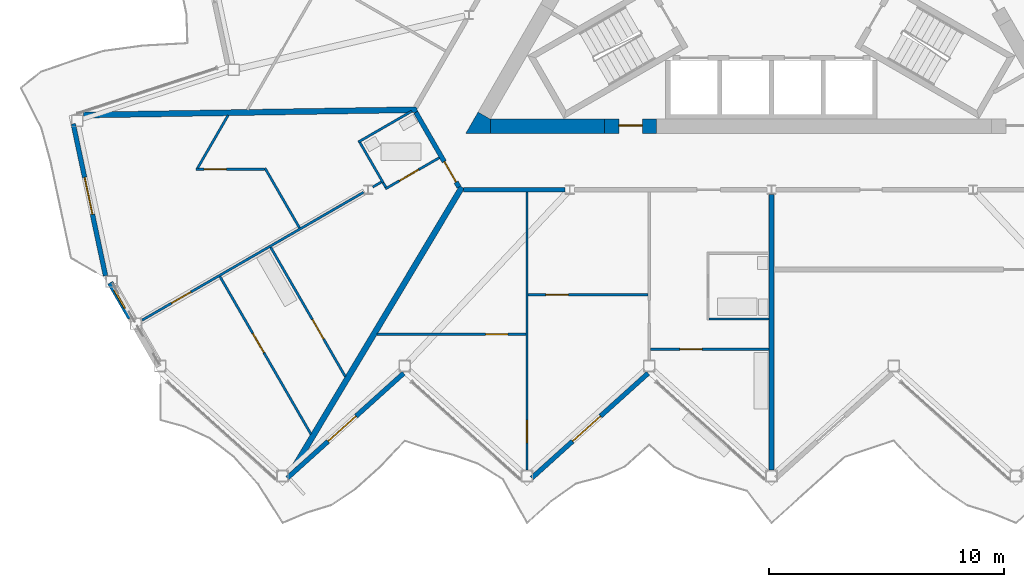
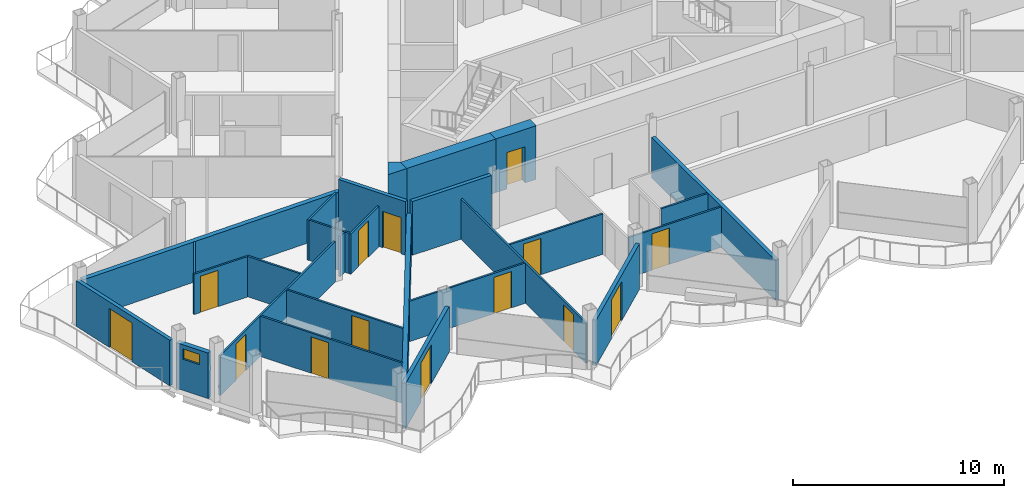
# One storey, part 12 of 26: 28 walls, 14 doors, 1 window, 15 openings.
"""IFC4 building model written with IfcOpenShell, lengths in metres."""

from ifc_helpers import new_model, si_unit, direction, frame, frame_2d, origin, place, context, subcontext, project, spatial, polyline, rectangle, outline, extrude, material, layer, layer_set, type_object, element, fill, save


model = new_model("IFC4")

# Units and contexts
model_context = context("Model", 3, precision=1e-05, world=origin(), true_north=direction((0.0, 1.0)))
body_context = subcontext(model_context, "Body", "Model", "MODEL_VIEW")
ifc_project = project(units=[si_unit("LENGTHUNIT", "METRE"), si_unit("AREAUNIT", "SQUARE_METRE"), si_unit("VOLUMEUNIT", "CUBIC_METRE"), si_unit("PLANEANGLEUNIT", "RADIAN"), si_unit("MASSUNIT", "GRAM", prefix="KILO")], contexts=[model_context])

# Site, building, storey
site_placement = place(None, origin())
site = spatial("IfcSite", under=ifc_project, at=site_placement, CompositionType="ELEMENT")
building_placement = place(site_placement, origin())
building = spatial("IfcBuilding", under=site, at=building_placement, Name="Cormorant Prow Tower", CompositionType="ELEMENT")
storey_placement = place(building_placement, frame((0.0, 0.0, 388.199951171875)))
storey = spatial("IfcBuildingStorey", under=building, at=storey_placement, Name="L88", CompositionType="ELEMENT", Elevation=388.199951171875)

# Walls
ifc_material_1 = material(Name="Concrete 8000 psi", Category="concrete")
ifc_layer_1 = layer(ifc_material_1, 0.60009765625)
ifc_layer_set_1 = layer_set([ifc_layer_1], Name="Concrete 8000 psi")
wall_type_1 = type_object("IfcWallType", Name="Core shear wall 600", PredefinedType="SHEAR", material=ifc_layer_set_1)
wall_1_placement = place(storey_placement, frame((-11.960693359375, -7.20556640625, 0.0), z_axis=(0.0, 0.0, 1.0), x_axis=(1.0, 0.0, 0.0)))
element("IfcWall", 1, at=wall_1_placement, inside=storey, type_object=wall_type_1, Name="Core wall", PredefinedType="SHEAR", context=body_context, shape_type="SweptSolid", body=[
    extrude(rectangle(XDim=4.868408203125, YDim=0.60009765625, at=frame_2d((2.43408203125, 0.0))), origin(), (0.0, 0.0, 1.0), 3.10009765625),
])
wall_2_placement = place(storey_placement, origin())
element("IfcWall", 2, at=wall_2_placement, inside=storey, type_object=wall_type_1, Name="Core wall corner", PredefinedType="SHEAR", context=body_context, shape_type="SweptSolid", body=[
    extrude(outline(polyline([(-12.48046875, -6.605712890625), (-11.960693359375, -6.905517578125), (-11.960693359375, -7.505615234375), (-13.0, -7.505615234375), (-12.48046875, -6.605712890625)])), origin(), (0.0, 0.0, 1.0), 3.10009765625),
])

# Wall, opening, door
wall_3_placement = place(storey_placement, frame((-7.09228515625, -7.20556640625, 0.0), z_axis=(0.0, 0.0, 1.0), x_axis=(1.0, 0.0, 0.0)))
wall_3 = element("IfcWall", 3, at=wall_3_placement, inside=storey, type_object=wall_type_1, Name="Core wall door panel", PredefinedType="SHEAR", context=body_context, shape_type="SweptSolid", body=[
    extrude(rectangle(XDim=2.2001953125, YDim=0.60009765625, at=frame_2d((1.10009765625, 0.0))), origin(), (0.0, 0.0, 1.0), 3.10009765625),
])
opening_1_placement = place(wall_3_placement, frame((0.60009765625, 0.0, 0.0)))
opening_1 = element("IfcOpeningElement", 4, at=opening_1_placement, cuts=wall_3, Name="Opening L88-C16", PredefinedType="OPENING", context=body_context, shape_type="SweptSolid", body=[
    extrude(rectangle(XDim=1.0, YDim=2.10009765625, at=frame_2d((0.5, 1.050048828125))), frame((0.0, 0.31005859375, 0.0), z_axis=(0.0, -1.0, 0.0), x_axis=(1.0, 0.0, 0.0)), (0.0, 0.0, 1.0), 0.6201171875),
])
ifc_material_2 = material(Name="Painted steel", Category="steel")
door_type_1 = type_object("IfcDoorType", Name="Service door 1000x2100", OperationType="NOTDEFINED", PredefinedType="DOOR", material=ifc_material_2)
door_1_placement = place(opening_1_placement, origin())
door_1 = element("IfcDoor", 5, at=door_1_placement, inside=storey, type_object=door_type_1, Name="Core door, Pantry store", OperationType="SINGLE_SWING_LEFT", OverallHeight=2.10009765625, OverallWidth=1.0, PredefinedType="DOOR", context=body_context, shape_type="SweptSolid", body=[
    extrude(rectangle(XDim=1.0, YDim=2.10009765625, at=frame_2d((0.5, 1.050048828125))), frame((0.0, 0.05517578125, 0.0), z_axis=(0.0, -1.0, 0.0), x_axis=(1.0, 0.0, 0.0)), (0.0, 0.0, 1.0), 0.050048828125),
])
fill(opening_1, door_1)

# Wall
ifc_material_3 = material(Name="Gypsum board corridor wall")
ifc_layer_2 = layer(ifc_material_3, 0.199951171875)
ifc_layer_set_2 = layer_set([ifc_layer_2], Name="Gypsum board corridor wall")
wall_type_2 = type_object("IfcWallType", Name="Corridor wall 200", PredefinedType="PARTITIONING", material=ifc_layer_set_2)
wall_4_placement = place(storey_placement, frame((-13.10595703125, -9.905517578125, 0.0), z_axis=(0.0, 0.0, 1.0), x_axis=(1.0, 0.0, 0.0)))
element("IfcWall", 6, at=wall_4_placement, inside=storey, type_object=wall_type_2, Name="Corridor wall", PredefinedType="PARTITIONING", context=body_context, shape_type="SweptSolid", body=[
    extrude(rectangle(XDim=4.33056640625, YDim=0.199951171875, at=frame_2d((2.165283203125, 0.0))), origin(), (0.0, 0.0, 1.0), 3.10009765625),
])

# Wall, opening, door
wall_5_placement = place(storey_placement, frame((-15.13134765625, -6.61376953125, 0.0), z_axis=(0.0, 0.0, 1.0), x_axis=(0.499967746641, -0.866044024469, 0.0)))
wall_5 = element("IfcWall", 7, at=wall_5_placement, inside=storey, type_object=wall_type_2, Name="Corridor wall", PredefinedType="PARTITIONING", context=body_context, shape_type="SweptSolid", body=[
    extrude(rectangle(XDim=3.676025390625, YDim=0.199951171875, at=frame_2d((1.837890625, 0.0))), origin(), (0.0, 0.0, 1.0), 3.10009765625),
])
opening_2_placement = place(wall_5_placement, frame((2.426025390625, 0.0, 0.0)))
opening_2 = element("IfcOpeningElement", 8, at=opening_2_placement, cuts=wall_5, Name="Opening L88-F46", PredefinedType="OPENING", context=body_context, shape_type="SweptSolid", body=[
    extrude(rectangle(XDim=1.0, YDim=2.10009765625, at=frame_2d((0.5, 1.050048828125))), frame((0.0, 0.10986328125, 0.0), z_axis=(0.0, -1.0, 0.0), x_axis=(1.0, 0.0, 0.0)), (0.0, 0.0, 1.0), 0.219970703125),
])
ifc_material_4 = material(Name="Timber door leaf", Category="wood")
door_type_2 = type_object("IfcDoorType", Name="Flat or room entrance door 1000x2100", OperationType="NOTDEFINED", PredefinedType="DOOR", material=ifc_material_4)
door_2_placement = place(opening_2_placement, origin())
door_2 = element("IfcDoor", 9, at=door_2_placement, inside=storey, type_object=door_type_2, Name="Living room door", OperationType="SINGLE_SWING_RIGHT", OverallHeight=2.10009765625, OverallWidth=1.0, PredefinedType="DOOR", context=body_context, shape_type="SweptSolid", body=[
    extrude(rectangle(XDim=1.0, YDim=2.10009765625, at=frame_2d((0.5, 1.050048828125))), frame((0.0, 0.02490234375, 0.0), z_axis=(0.0, -1.0, 0.0), x_axis=(1.0, 0.0, 0.0)), (0.0, 0.0, 1.0), 0.050048828125),
])
fill(opening_2, door_2)

# Wall
ifc_material_5 = material(Name="Gypsum board demising wall")
ifc_layer_3 = layer(ifc_material_5, 0.199951171875)
ifc_layer_set_3 = layer_set([ifc_layer_3], Name="Gypsum board demising wall")
wall_type_3 = type_object("IfcWallType", Name="Demising wall 200", PredefinedType="PARTITIONING", material=ifc_layer_set_3)
wall_6_placement = place(storey_placement, frame((0.0, -21.827880859375, 0.0), z_axis=(0.0, 0.0, 1.0), x_axis=(0.0, 1.0, 0.0)))
element("IfcWall", 10, at=wall_6_placement, inside=storey, type_object=wall_type_3, Name="Demising wall", PredefinedType="PARTITIONING", context=body_context, shape_type="SweptSolid", body=[
    extrude(rectangle(XDim=11.725341796875, YDim=0.199951171875, at=frame_2d((5.86279296875, 0.0))), origin(), (0.0, 0.0, 1.0), 2.330078125),
])

# Wall, opening, door
ifc_material_6 = material(Name="Gypsum board partition")
ifc_layer_4 = layer(ifc_material_6, 0.10009765625)
ifc_layer_set_4 = layer_set([ifc_layer_4], Name="Gypsum board partition")
wall_type_4 = type_object("IfcWallType", Name="Internal partition 100", PredefinedType="PARTITIONING", material=ifc_layer_set_4)
wall_7_placement = place(storey_placement, frame((-10.39990234375, -21.827880859375, 0.0), z_axis=(0.0, 0.0, 1.0), x_axis=(0.0, 1.0, 0.0)))
wall_7 = element("IfcWall", 11, at=wall_7_placement, inside=storey, type_object=wall_type_4, Name="Internal partition", PredefinedType="PARTITIONING", context=body_context, shape_type="SweptSolid", body=[
    extrude(rectangle(XDim=11.822265625, YDim=0.10009765625, at=frame_2d((5.9111328125, 0.0))), origin(), (0.0, 0.0, 1.0), 2.330078125),
])
opening_3_placement = place(wall_7_placement, frame((1.15625, 0.0, 0.0)))
opening_3 = element("IfcOpeningElement", 12, at=opening_3_placement, cuts=wall_7, Name="Opening L88-F06", PredefinedType="OPENING", context=body_context, shape_type="SweptSolid", body=[
    extrude(rectangle(XDim=0.949951171875, YDim=2.10009765625, at=frame_2d((0.47509765625, 1.050048828125))), frame((0.0, 0.06005859375, 0.0), z_axis=(0.0, -1.0, 0.0), x_axis=(1.0, 0.0, 0.0)), (0.0, 0.0, 1.0), 0.1201171875),
])
ifc_material_7 = material(Name="Timber door leaf", Category="wood")
door_type_3 = type_object("IfcDoorType", Name="Bathroom door 950x2100", OperationType="NOTDEFINED", PredefinedType="DOOR", material=ifc_material_7)
door_3_placement = place(opening_3_placement, origin())
door_3 = element("IfcDoor", 13, at=door_3_placement, inside=storey, type_object=door_type_3, Name="Bedroom door", OperationType="SINGLE_SWING_RIGHT", OverallHeight=2.10009765625, OverallWidth=0.949951171875, PredefinedType="DOOR", context=body_context, shape_type="SweptSolid", body=[
    extrude(rectangle(XDim=0.949951171875, YDim=2.10009765625, at=frame_2d((0.47509765625, 1.050048828125))), frame((0.0, 0.02490234375, 0.0), z_axis=(0.0, -1.0, 0.0), x_axis=(1.0, 0.0, 0.0)), (0.0, 0.0, 1.0), 0.050048828125),
])
fill(opening_3, door_3)

wall_8_placement = place(storey_placement, frame((-26.77685546875, -15.459716796875, 0.0), z_axis=(0.0, 0.0, 1.0), x_axis=(0.866019680922, 0.500009912158, 0.0)))
wall_8 = element("IfcWall", 14, at=wall_8_placement, inside=storey, type_object=wall_type_4, Name="Internal partition", PredefinedType="PARTITIONING", context=body_context, shape_type="SweptSolid", body=[
    extrude(rectangle(XDim=10.880615234375, YDim=0.10009765625, at=frame_2d((5.4404296875, 0.0))), origin(), (0.0, 0.0, 1.0), 2.330078125),
])
opening_4_placement = place(wall_8_placement, frame((1.453857421875, 0.0, 0.0)))
opening_4 = element("IfcOpeningElement", 15, at=opening_4_placement, cuts=wall_8, Name="Opening L88-F50", PredefinedType="OPENING", context=body_context, shape_type="SweptSolid", body=[
    extrude(rectangle(XDim=0.949951171875, YDim=2.10009765625, at=frame_2d((0.47509765625, 1.050048828125))), frame((0.0, 0.06005859375, 0.0), z_axis=(0.0, -1.0, 0.0), x_axis=(1.0, 0.0, 0.0)), (0.0, 0.0, 1.0), 0.1201171875),
])
door_4_placement = place(opening_4_placement, origin())
door_4 = element("IfcDoor", 16, at=door_4_placement, inside=storey, type_object=door_type_3, Name="Dining room door", OperationType="SINGLE_SWING_RIGHT", OverallHeight=2.10009765625, OverallWidth=0.949951171875, PredefinedType="DOOR", context=body_context, shape_type="SweptSolid", body=[
    extrude(rectangle(XDim=0.949951171875, YDim=2.10009765625, at=frame_2d((0.47509765625, 1.050048828125))), frame((0.0, 0.02490234375, 0.0), z_axis=(0.0, -1.0, 0.0), x_axis=(1.0, 0.0, 0.0)), (0.0, 0.0, 1.0), 0.050048828125),
])
fill(opening_4, door_4)

wall_9_placement = place(storey_placement, frame((-23.461669921875, -13.603271484375, 0.0), z_axis=(0.0, 0.0, 1.0), x_axis=(0.499998111909, -0.866026493871, 0.0)))
wall_9 = element("IfcWall", 17, at=wall_9_placement, inside=storey, type_object=wall_type_4, Name="Internal partition", PredefinedType="PARTITIONING", context=body_context, shape_type="SweptSolid", body=[
    extrude(rectangle(XDim=7.7431640625, YDim=0.10009765625, at=frame_2d((3.87158203125, 0.0))), origin(), (0.0, 0.0, 1.0), 2.330078125),
])
opening_5_placement = place(wall_9_placement, frame((2.78759765625, 0.0, 0.0)))
opening_5 = element("IfcOpeningElement", 18, at=opening_5_placement, cuts=wall_9, Name="Opening L88-F49", PredefinedType="OPENING", context=body_context, shape_type="SweptSolid", body=[
    extrude(rectangle(XDim=0.949951171875, YDim=2.10009765625, at=frame_2d((0.47509765625, 1.050048828125))), frame((0.0, 0.06005859375, 0.0), z_axis=(0.0, -1.0, 0.0), x_axis=(1.0, 0.0, 0.0)), (0.0, 0.0, 1.0), 0.1201171875),
])
door_5_placement = place(opening_5_placement, origin())
door_5 = element("IfcDoor", 19, at=door_5_placement, inside=storey, type_object=door_type_3, Name="Kitchen door", OperationType="SINGLE_SWING_LEFT", OverallHeight=2.10009765625, OverallWidth=0.949951171875, PredefinedType="DOOR", context=body_context, shape_type="SweptSolid", body=[
    extrude(rectangle(XDim=0.949951171875, YDim=2.10009765625, at=frame_2d((0.47509765625, 1.050048828125))), frame((0.0, 0.02490234375, 0.0), z_axis=(0.0, -1.0, 0.0), x_axis=(1.0, 0.0, 0.0)), (0.0, 0.0, 1.0), 0.050048828125),
])
fill(opening_5, door_5)

wall_10_placement = place(storey_placement, frame((-21.30419921875, -12.35791015625, 0.0), z_axis=(0.0, 0.0, 1.0), x_axis=(0.500000558108, -0.866025081561, 0.0)))
wall_10 = element("IfcWall", 20, at=wall_10_placement, inside=storey, type_object=wall_type_4, Name="Internal partition", PredefinedType="PARTITIONING", context=body_context, shape_type="SweptSolid", body=[
    extrude(rectangle(XDim=6.35791015625, YDim=0.10009765625, at=frame_2d((3.178955078125, 0.0))), origin(), (0.0, 0.0, 1.0), 2.330078125),
])
opening_6_placement = place(wall_10_placement, frame((3.555419921875, 0.0, 0.0)))
opening_6 = element("IfcOpeningElement", 21, at=opening_6_placement, cuts=wall_10, Name="Opening L88-F48", PredefinedType="OPENING", context=body_context, shape_type="SweptSolid", body=[
    extrude(rectangle(XDim=0.949951171875, YDim=2.10009765625, at=frame_2d((0.47509765625, 1.050048828125))), frame((0.0, 0.06005859375, 0.0), z_axis=(0.0, -1.0, 0.0), x_axis=(1.0, 0.0, 0.0)), (0.0, 0.0, 1.0), 0.1201171875),
])
door_6_placement = place(opening_6_placement, origin())
door_6 = element("IfcDoor", 22, at=door_6_placement, inside=storey, type_object=door_type_3, Name="Living room door", OperationType="SINGLE_SWING_LEFT", OverallHeight=2.10009765625, OverallWidth=0.949951171875, PredefinedType="DOOR", context=body_context, shape_type="SweptSolid", body=[
    extrude(rectangle(XDim=0.949951171875, YDim=2.10009765625, at=frame_2d((0.47509765625, 1.050048828125))), frame((0.0, 0.02490234375, 0.0), z_axis=(0.0, -1.0, 0.0), x_axis=(1.0, 0.0, 0.0)), (0.0, 0.0, 1.0), 0.050048828125),
])
fill(opening_6, door_6)

wall_11_placement = place(storey_placement, frame((-16.781494140625, -16.055419921875, 0.0), z_axis=(0.0, 0.0, 1.0), x_axis=(1.0, 0.0, 0.0)))
wall_11 = element("IfcWall", 23, at=wall_11_placement, inside=storey, type_object=wall_type_4, Name="Internal partition", PredefinedType="PARTITIONING", context=body_context, shape_type="SweptSolid", body=[
    extrude(rectangle(XDim=6.33154296875, YDim=0.10009765625, at=frame_2d((3.165771484375, 0.0))), origin(), (0.0, 0.0, 1.0), 2.330078125),
])
opening_7_placement = place(wall_11_placement, frame((4.623046875, 0.0, 0.0)))
opening_7 = element("IfcOpeningElement", 24, at=opening_7_placement, cuts=wall_11, Name="Opening L88-F07", PredefinedType="OPENING", context=body_context, shape_type="SweptSolid", body=[
    extrude(rectangle(XDim=0.949951171875, YDim=2.10009765625, at=frame_2d((0.47509765625, 1.050048828125))), frame((0.0, 0.06005859375, 0.0), z_axis=(0.0, -1.0, 0.0), x_axis=(1.0, 0.0, 0.0)), (0.0, 0.0, 1.0), 0.1201171875),
])
door_7_placement = place(opening_7_placement, origin())
door_7 = element("IfcDoor", 25, at=door_7_placement, inside=storey, type_object=door_type_3, Name="Bedroom door", OperationType="SINGLE_SWING_RIGHT", OverallHeight=2.10009765625, OverallWidth=0.949951171875, PredefinedType="DOOR", context=body_context, shape_type="SweptSolid", body=[
    extrude(rectangle(XDim=0.949951171875, YDim=2.10009765625, at=frame_2d((0.47509765625, 1.050048828125))), frame((0.0, 0.02490234375, 0.0), z_axis=(0.0, -1.0, 0.0), x_axis=(1.0, 0.0, 0.0)), (0.0, 0.0, 1.0), 0.050048828125),
])
fill(opening_7, door_7)

wall_12_placement = place(storey_placement, frame((-5.14990234375, -16.689208984375, 0.0), z_axis=(0.0, 0.0, 1.0), x_axis=(1.0, 0.0, 0.0)))
wall_12 = element("IfcWall", 26, at=wall_12_placement, inside=storey, type_object=wall_type_4, Name="Internal partition", PredefinedType="PARTITIONING", context=body_context, shape_type="SweptSolid", body=[
    extrude(rectangle(XDim=5.0498046875, YDim=0.10009765625, at=frame_2d((2.52490234375, 0.0))), origin(), (0.0, 0.0, 1.0), 2.330078125),
])
opening_8_placement = place(wall_12_placement, frame((1.25, 0.0, 0.0)))
opening_8 = element("IfcOpeningElement", 27, at=opening_8_placement, cuts=wall_12, Name="Opening L88-F03", PredefinedType="OPENING", context=body_context, shape_type="SweptSolid", body=[
    extrude(rectangle(XDim=0.949951171875, YDim=2.10009765625, at=frame_2d((0.47509765625, 1.050048828125))), frame((0.0, 0.06005859375, 0.0), z_axis=(0.0, -1.0, 0.0), x_axis=(1.0, 0.0, 0.0)), (0.0, 0.0, 1.0), 0.1201171875),
])
door_8_placement = place(opening_8_placement, origin())
door_8 = element("IfcDoor", 28, at=door_8_placement, inside=storey, type_object=door_type_3, Name="Living room door", OperationType="SINGLE_SWING_RIGHT", OverallHeight=2.10009765625, OverallWidth=0.949951171875, PredefinedType="DOOR", context=body_context, shape_type="SweptSolid", body=[
    extrude(rectangle(XDim=0.949951171875, YDim=2.10009765625, at=frame_2d((0.47509765625, 1.050048828125))), frame((0.0, 0.02490234375, 0.0), z_axis=(0.0, -1.0, 0.0), x_axis=(1.0, 0.0, 0.0)), (0.0, 0.0, 1.0), 0.050048828125),
])
fill(opening_8, door_8)

wall_13_placement = place(storey_placement, frame((-10.35009765625, -14.381591796875, 0.0), z_axis=(0.0, 0.0, 1.0), x_axis=(1.0, 0.0, 0.0)))
wall_13 = element("IfcWall", 29, at=wall_13_placement, inside=storey, type_object=wall_type_4, Name="Internal partition", PredefinedType="PARTITIONING", context=body_context, shape_type="SweptSolid", body=[
    extrude(rectangle(XDim=5.10009765625, YDim=0.10009765625, at=frame_2d((2.550048828125, 0.0))), origin(), (0.0, 0.0, 1.0), 2.330078125),
])
opening_9_placement = place(wall_13_placement, frame((0.7568359375, 0.0, 0.0)))
opening_9 = element("IfcOpeningElement", 30, at=opening_9_placement, cuts=wall_13, Name="Opening L88-F05", PredefinedType="OPENING", context=body_context, shape_type="SweptSolid", body=[
    extrude(rectangle(XDim=0.949951171875, YDim=2.10009765625, at=frame_2d((0.47509765625, 1.050048828125))), frame((0.0, 0.06005859375, 0.0), z_axis=(0.0, -1.0, 0.0), x_axis=(1.0, 0.0, 0.0)), (0.0, 0.0, 1.0), 0.1201171875),
])
door_9_placement = place(opening_9_placement, origin())
door_9 = element("IfcDoor", 31, at=door_9_placement, inside=storey, type_object=door_type_3, Name="Bedroom door", OperationType="SINGLE_SWING_LEFT", OverallHeight=2.10009765625, OverallWidth=0.949951171875, PredefinedType="DOOR", context=body_context, shape_type="SweptSolid", body=[
    extrude(rectangle(XDim=0.949951171875, YDim=2.10009765625, at=frame_2d((0.47509765625, 1.050048828125))), frame((0.0, 0.02490234375, 0.0), z_axis=(0.0, -1.0, 0.0), x_axis=(1.0, 0.0, 0.0)), (0.0, 0.0, 1.0), 0.050048828125),
])
fill(opening_9, door_9)

# Wall
wall_14_placement = place(storey_placement, frame((-21.5458984375, -8.98876953125, 0.0), z_axis=(0.0, 0.0, 1.0), x_axis=(0.499919039967, -0.866072141036, 0.0)))
element("IfcWall", 32, at=wall_14_placement, inside=storey, type_object=wall_type_4, Name="Internal partition", PredefinedType="PARTITIONING", context=body_context, shape_type="SweptSolid", body=[
    extrude(rectangle(XDim=2.9384765625, YDim=0.10009765625, at=frame_2d((1.46923828125, 0.0))), origin(), (0.0, 0.0, 1.0), 2.330078125),
])

# Wall, opening, door
wall_15_placement = place(storey_placement, frame((-24.488525390625, -9.031982421875, 0.0), z_axis=(0.0, 0.0, 1.0), x_axis=(1.0, 0.0, 0.0)))
wall_15 = element("IfcWall", 33, at=wall_15_placement, inside=storey, type_object=wall_type_4, Name="Internal partition", PredefinedType="PARTITIONING", context=body_context, shape_type="SweptSolid", body=[
    extrude(rectangle(XDim=2.91748046875, YDim=0.10009765625, at=frame_2d((1.458740234375, 0.0))), origin(), (0.0, 0.0, 1.0), 2.330078125),
])
opening_10_placement = place(wall_15_placement, frame((0.354736328125, 0.0, 0.0)))
opening_10 = element("IfcOpeningElement", 34, at=opening_10_placement, cuts=wall_15, Name="Opening L88-F51", PredefinedType="OPENING", context=body_context, shape_type="SweptSolid", body=[
    extrude(rectangle(XDim=0.949951171875, YDim=2.10009765625, at=frame_2d((0.47509765625, 1.050048828125))), frame((0.0, 0.06005859375, 0.0), z_axis=(0.0, -1.0, 0.0), x_axis=(1.0, 0.0, 0.0)), (0.0, 0.0, 1.0), 0.1201171875),
])
door_10_placement = place(opening_10_placement, origin())
door_10 = element("IfcDoor", 35, at=door_10_placement, inside=storey, type_object=door_type_3, Name="Principal bedroom door", OperationType="SINGLE_SWING_LEFT", OverallHeight=2.10009765625, OverallWidth=0.949951171875, PredefinedType="DOOR", context=body_context, shape_type="SweptSolid", body=[
    extrude(rectangle(XDim=0.949951171875, YDim=2.10009765625, at=frame_2d((0.47509765625, 1.050048828125))), frame((0.0, 0.02490234375, 0.0), z_axis=(0.0, -1.0, 0.0), x_axis=(1.0, 0.0, 0.0)), (0.0, 0.0, 1.0), 0.050048828125),
])
fill(opening_10, door_10)

# Walls
wall_16_placement = place(storey_placement, frame((-24.41357421875, -8.98876953125, 0.0), z_axis=(0.0, 0.0, 1.0), x_axis=(0.500042595688, 0.866000809756, 0.0)))
element("IfcWall", 36, at=wall_16_placement, inside=storey, type_object=wall_type_4, Name="Internal partition", PredefinedType="PARTITIONING", context=body_context, shape_type="SweptSolid", body=[
    extrude(rectangle(XDim=2.596435546875, YDim=0.10009765625, at=frame_2d((1.29833984375, 0.0))), origin(), (0.0, 0.0, 1.0), 2.330078125),
])
wall_17_placement = place(storey_placement, frame((-2.64990234375, -15.405517578125, 0.0), z_axis=(0.0, 0.0, 1.0), x_axis=(1.0, 0.0, 0.0)))
element("IfcWall", 37, at=wall_17_placement, inside=storey, type_object=wall_type_4, Name="Internal partition", PredefinedType="PARTITIONING", context=body_context, shape_type="SweptSolid", body=[
    extrude(rectangle(XDim=2.5498046875, YDim=0.10009765625, at=frame_2d((1.27490234375, 0.0))), origin(), (0.0, 0.0, 1.0), 2.330078125),
])
wall_18_placement = place(storey_placement, frame((-17.575439453125, -7.880615234375, 0.0), z_axis=(0.0, 0.0, 1.0), x_axis=(0.866036909293, 0.499980071345, 0.0)))
element("IfcWall", 38, at=wall_18_placement, inside=storey, type_object=wall_type_4, Name="Internal partition", PredefinedType="PARTITIONING", context=body_context, shape_type="SweptSolid", body=[
    extrude(rectangle(XDim=2.625, YDim=0.10009765625, at=frame_2d((1.3125, 0.0))), origin(), (0.0, 0.0, 1.0), 2.330078125),
])

# Wall, opening, door
wall_19_placement = place(storey_placement, frame((-16.4248046875, -9.871826171875, 0.0), z_axis=(0.0, 0.0, 1.0), x_axis=(0.86603978909, 0.499975083092, 0.0)))
wall_19 = element("IfcWall", 39, at=wall_19_placement, inside=storey, type_object=wall_type_4, Name="Internal partition", PredefinedType="PARTITIONING", context=body_context, shape_type="SweptSolid", body=[
    extrude(rectangle(XDim=2.649169921875, YDim=0.10009765625, at=frame_2d((1.32470703125, 0.0))), origin(), (0.0, 0.0, 1.0), 2.330078125),
])
opening_11_placement = place(wall_19_placement, frame((0.68603515625, 0.0, 0.0)))
opening_11 = element("IfcOpeningElement", 40, at=opening_11_placement, cuts=wall_19, Name="Opening L88-F47", PredefinedType="OPENING", context=body_context, shape_type="SweptSolid", body=[
    extrude(rectangle(XDim=0.949951171875, YDim=2.10009765625, at=frame_2d((0.47509765625, 1.050048828125))), frame((0.0, 0.06005859375, 0.0), z_axis=(0.0, -1.0, 0.0), x_axis=(1.0, 0.0, 0.0)), (0.0, 0.0, 1.0), 0.1201171875),
])
door_11_placement = place(opening_11_placement, origin())
door_11 = element("IfcDoor", 41, at=door_11_placement, inside=storey, type_object=door_type_3, Name="Living room door", OperationType="SINGLE_SWING_LEFT", OverallHeight=2.10009765625, OverallWidth=0.949951171875, PredefinedType="DOOR", context=body_context, shape_type="SweptSolid", body=[
    extrude(rectangle(XDim=0.949951171875, YDim=2.10009765625, at=frame_2d((0.47509765625, 1.050048828125))), frame((0.0, 0.02490234375, 0.0), z_axis=(0.0, -1.0, 0.0), x_axis=(1.0, 0.0, 0.0)), (0.0, 0.0, 1.0), 0.050048828125),
])
fill(opening_11, door_11)

# Walls
wall_20_placement = place(storey_placement, frame((-17.507080078125, -7.898681640625, 0.0), z_axis=(0.0, 0.0, 1.0), x_axis=(0.500011643316, -0.866018681408, 0.0)))
element("IfcWall", 42, at=wall_20_placement, inside=storey, type_object=wall_type_4, Name="Internal partition", PredefinedType="PARTITIONING", context=body_context, shape_type="SweptSolid", body=[
    extrude(rectangle(XDim=1.97314453125, YDim=0.10009765625, at=frame_2d((0.986572265625, 0.0))), origin(), (0.0, 0.0, 1.0), 2.330078125),
])
wall_21_placement = place(storey_placement, frame((-16.9599609375, -9.791748046875, 0.0), z_axis=(0.0, 0.0, 1.0), x_axis=(0.866137484628, 0.499805820016, 0.0)))
element("IfcWall", 43, at=wall_21_placement, inside=storey, type_object=wall_type_4, Name="Internal partition", PredefinedType="PARTITIONING", context=body_context, shape_type="SweptSolid", body=[
    extrude(rectangle(XDim=0.422607421875, YDim=0.10009765625, at=frame_2d((0.21142578125, 0.0))), origin(), (0.0, 0.0, 1.0), 2.330078125),
])
wall_22_placement = place(storey_placement, frame((-16.519287109375, -9.609619140625, 0.0), z_axis=(0.0, 0.0, 1.0), x_axis=(0.50245032488, -0.864606078528, 0.0)))
element("IfcWall", 44, at=wall_22_placement, inside=storey, type_object=wall_type_4, Name="Internal partition", PredefinedType="PARTITIONING", context=body_context, shape_type="SweptSolid", body=[
    extrude(rectangle(XDim=0.224365234375, YDim=0.10009765625, at=frame_2d((0.1123046875, 0.0))), origin(), (0.0, 0.0, 1.0), 2.330078125),
])
ifc_material_8 = material(Name="Acoustic gypsum party wall")
ifc_layer_5 = layer(ifc_material_8, 0.25)
ifc_layer_set_5 = layer_set([ifc_layer_5], Name="Acoustic gypsum party wall")
wall_type_5 = type_object("IfcWallType", Name="Suite party wall 250", PredefinedType="PARTITIONING", material=ifc_layer_set_5)
wall_23_placement = place(storey_placement, frame((-20.33837890625, -21.77099609375, 0.0), z_axis=(0.0, 0.0, 1.0), x_axis=(0.513878217441, 0.857863146218, 0.0)))
element("IfcWall", 45, at=wall_23_placement, inside=storey, type_object=wall_type_5, Name="Suite party wall", PredefinedType="PARTITIONING", context=body_context, shape_type="SweptSolid", body=[
    extrude(rectangle(XDim=13.956298828125, YDim=0.25, at=frame_2d((6.97802734375, 0.0))), origin(), (0.0, 0.0, 1.0), 2.330078125),
])
wall_24_placement = place(storey_placement, frame((-29.2685546875, -6.73193359375, 0.0), z_axis=(0.0, 0.0, 1.0), x_axis=(0.999870533117, 0.016090898164, 0.0)))
element("IfcWall", 46, at=wall_24_placement, inside=storey, type_object=wall_type_5, Name="Suite party wall", PredefinedType="PARTITIONING", context=body_context, shape_type="SweptSolid", body=[
    extrude(rectangle(XDim=14.20166015625, YDim=0.25, at=frame_2d((7.100830078125, 0.0))), origin(), (0.0, 0.0, 1.0), 2.330078125),
])

# Wall, opening, window
ifc_material_9 = material(Name="Terracotta", Category="masonry")
ifc_layer_6 = layer(ifc_material_9, 0.25)
ifc_layer_set_6 = layer_set([ifc_layer_6], Name="Terracotta")
wall_type_6 = type_object("IfcWallType", Name="Terracotta bay wall 250", PredefinedType="SOLIDWALL", material=ifc_layer_set_6)
wall_25_placement = place(storey_placement, frame((-28.13232421875, -13.8662109375, 0.0), z_axis=(0.0, 0.0, 1.0), x_axis=(0.499975693202, -0.866039436866, 0.0)))
wall_25 = element("IfcWall", 47, at=wall_25_placement, inside=storey, type_object=wall_type_6, Name="Terracotta bay wall WSW00", PredefinedType="SOLIDWALL", context=body_context, shape_type="SweptSolid", body=[
    extrude(rectangle(XDim=1.724609375, YDim=0.25, at=frame_2d((0.8623046875, 0.0))), origin(), (0.0, 0.0, 1.0), 2.634033203125),
])
opening_12_placement = place(wall_25_placement, frame((0.35009765625, 0.0, 1.800048828125)))
opening_12 = element("IfcOpeningElement", 48, at=opening_12_placement, cuts=wall_25, Name="Opening WN7", PredefinedType="OPENING", context=body_context, shape_type="SweptSolid", body=[
    extrude(rectangle(XDim=0.89990234375, YDim=0.60009765625, at=frame_2d((0.449951171875, 0.300048828125))), frame((0.0, 0.135009765625, 0.0), z_axis=(0.0, -1.0, 0.0), x_axis=(1.0, 0.0, 0.0)), (0.0, 0.0, 1.0), 0.27001953125),
])
ifc_material_10 = material(Name="Aluminium 6063-T6", Category="aluminium")
window_type = type_object("IfcWindowType", Name="Corner bay window 900x600", PartitioningType="SINGLE_PANEL", PredefinedType="WINDOW", material=ifc_material_10)
window_placement = place(opening_12_placement, origin())
window = element("IfcWindow", 49, at=window_placement, inside=storey, type_object=window_type, Name="Corner bay window WSW00", OverallHeight=0.60009765625, OverallWidth=0.89990234375, PartitioningType="SINGLE_PANEL", PredefinedType="WINDOW", context=body_context, shape_type="SweptSolid", body=[
    extrude(rectangle(XDim=0.89990234375, YDim=0.60009765625, at=frame_2d((0.449951171875, 0.300048828125))), frame((0.0, 0.030029296875, 0.0), z_axis=(0.0, -1.0, 0.0), x_axis=(1.0, 0.0, 0.0)), (0.0, 0.0, 1.0), 0.06005859375),
])
fill(opening_12, window)

# Wall, opening, door
ifc_material_11 = material(Name="Terracotta", Category="masonry")
ifc_layer_7 = layer(ifc_material_11, 0.199951171875)
ifc_layer_set_7 = layer_set([ifc_layer_7], Name="Terracotta")
wall_type_7 = type_object("IfcWallType", Name="Terracotta jamb wall 200", PredefinedType="SOLIDWALL", material=ifc_layer_set_7)
wall_26_placement = place(storey_placement, frame((-20.594970703125, -22.172607421875, 0.0), z_axis=(0.0, 0.0, 1.0), x_axis=(0.743135582201, 0.669140871915, 0.0)))
wall_26 = element("IfcWall", 50, at=wall_26_placement, inside=storey, type_object=wall_type_7, Name="Terracotta jamb wall S01", PredefinedType="SOLIDWALL", context=body_context, shape_type="SweptSolid", body=[
    extrude(rectangle(XDim=6.66162109375, YDim=0.199951171875, at=frame_2d((3.330810546875, 0.0))), origin(), (0.0, 0.0, 1.0), 2.634033203125),
])
opening_13_placement = place(wall_26_placement, frame((2.332763671875, 0.0, 0.0)))
opening_13 = element("IfcOpeningElement", 51, at=opening_13_placement, cuts=wall_26, Name="Opening ED88.01", PredefinedType="OPENING", context=body_context, shape_type="SweptSolid", body=[
    extrude(rectangle(XDim=1.60009765625, YDim=2.25, at=frame_2d((0.800048828125, 1.125))), frame((0.0, 0.10986328125, 0.0), z_axis=(0.0, -1.0, 0.0), x_axis=(1.0, 0.0, 0.0)), (0.0, 0.0, 1.0), 0.219970703125),
])
ifc_material_12 = material(Name="Aluminium 6063-T6", Category="aluminium")
door_type_4 = type_object("IfcDoorType", Name="Balcony door 1600x2250", OperationType="DOUBLE_DOOR_SINGLE_SWING", PredefinedType="DOOR", material=ifc_material_12)
door_12_placement = place(opening_13_placement, origin())
door_12 = element("IfcDoor", 52, at=door_12_placement, inside=storey, type_object=door_type_4, Name="Balcony door S01 ED88.01", OperationType="DOUBLE_DOOR_SINGLE_SWING", OverallHeight=2.25, OverallWidth=1.60009765625, PredefinedType="DOOR", context=body_context, shape_type="SweptSolid", body=[
    extrude(rectangle(XDim=1.60009765625, YDim=2.25, at=frame_2d((0.800048828125, 1.125))), frame((0.0, 0.02490234375, 0.0), z_axis=(0.0, -1.0, 0.0), x_axis=(1.0, 0.0, 0.0)), (0.0, 0.0, 1.0), 0.050048828125),
])
fill(opening_13, door_12)

wall_27_placement = place(storey_placement, frame((-10.19482421875, -22.172607421875, 0.0), z_axis=(0.0, 0.0, 1.0), x_axis=(0.743119171875, 0.669159096473, 0.0)))
wall_27 = element("IfcWall", 53, at=wall_27_placement, inside=storey, type_object=wall_type_7, Name="Terracotta jamb wall S03", PredefinedType="SOLIDWALL", context=body_context, shape_type="SweptSolid", body=[
    extrude(rectangle(XDim=6.661376953125, YDim=0.199951171875, at=frame_2d((3.33056640625, 0.0))), origin(), (0.0, 0.0, 1.0), 2.634033203125),
])
opening_14_placement = place(wall_27_placement, frame((2.332763671875, 0.0, 0.0)))
opening_14 = element("IfcOpeningElement", 54, at=opening_14_placement, cuts=wall_27, Name="Opening ED88.02", PredefinedType="OPENING", context=body_context, shape_type="SweptSolid", body=[
    extrude(rectangle(XDim=1.60009765625, YDim=2.25, at=frame_2d((0.800048828125, 1.125))), frame((0.0, 0.10986328125, 0.0), z_axis=(0.0, -1.0, 0.0), x_axis=(1.0, 0.0, 0.0)), (0.0, 0.0, 1.0), 0.219970703125),
])
door_13_placement = place(opening_14_placement, origin())
door_13 = element("IfcDoor", 55, at=door_13_placement, inside=storey, type_object=door_type_4, Name="Balcony door S03 ED88.02", OperationType="DOUBLE_DOOR_SINGLE_SWING", OverallHeight=2.25, OverallWidth=1.60009765625, PredefinedType="DOOR", context=body_context, shape_type="SweptSolid", body=[
    extrude(rectangle(XDim=1.60009765625, YDim=2.25, at=frame_2d((0.800048828125, 1.125))), frame((0.0, 0.02490234375, 0.0), z_axis=(0.0, -1.0, 0.0), x_axis=(1.0, 0.0, 0.0)), (0.0, 0.0, 1.0), 0.050048828125),
])
fill(opening_14, door_13)

wall_28_placement = place(storey_placement, frame((-29.70458984375, -7.104736328125, 0.0), z_axis=(0.0, 0.0, 1.0), x_axis=(0.207924998532, -0.978144771997, 0.0)))
wall_28 = element("IfcWall", 56, at=wall_28_placement, inside=storey, type_object=wall_type_7, Name="Terracotta jamb wall WNW09", PredefinedType="SOLIDWALL", context=body_context, shape_type="SweptSolid", body=[
    extrude(rectangle(XDim=6.61181640625, YDim=0.199951171875, at=frame_2d((3.305908203125, 0.0))), origin(), (0.0, 0.0, 1.0), 2.634033203125),
])
opening_15_placement = place(wall_28_placement, frame((2.332763671875, 0.0, 0.0)))
opening_15 = element("IfcOpeningElement", 57, at=opening_15_placement, cuts=wall_28, Name="Opening ED88.15", PredefinedType="OPENING", context=body_context, shape_type="SweptSolid", body=[
    extrude(rectangle(XDim=1.60009765625, YDim=2.25, at=frame_2d((0.800048828125, 1.125))), frame((0.0, 0.10986328125, 0.0), z_axis=(0.0, -1.0, 0.0), x_axis=(1.0, 0.0, 0.0)), (0.0, 0.0, 1.0), 0.219970703125),
])
door_14_placement = place(opening_15_placement, origin())
door_14 = element("IfcDoor", 58, at=door_14_placement, inside=storey, type_object=door_type_4, Name="Balcony door WNW09 ED88.15", OperationType="DOUBLE_DOOR_SINGLE_SWING", OverallHeight=2.25, OverallWidth=1.60009765625, PredefinedType="DOOR", context=body_context, shape_type="SweptSolid", body=[
    extrude(rectangle(XDim=1.60009765625, YDim=2.25, at=frame_2d((0.800048828125, 1.125))), frame((0.0, 0.02490234375, 0.0), z_axis=(0.0, -1.0, 0.0), x_axis=(1.0, 0.0, 0.0)), (0.0, 0.0, 1.0), 0.050048828125),
])
fill(opening_15, door_14)

save(model, "model.ifc")
